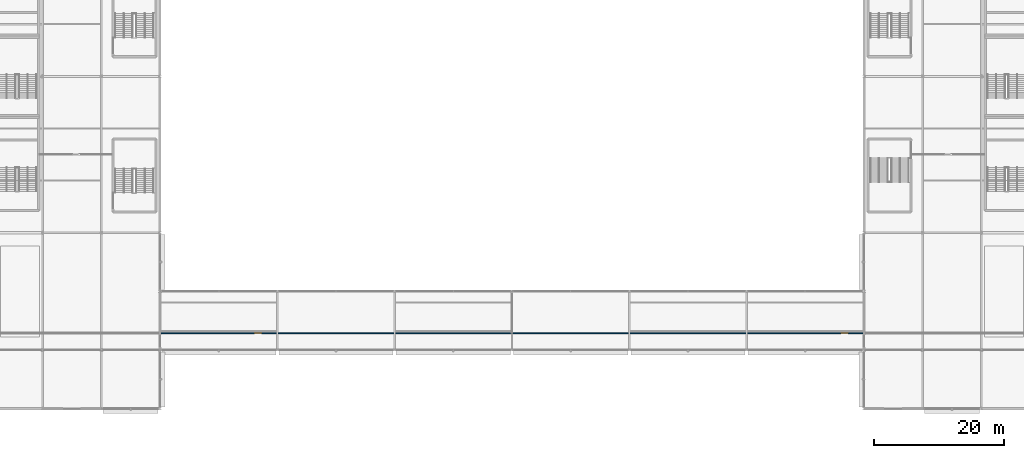
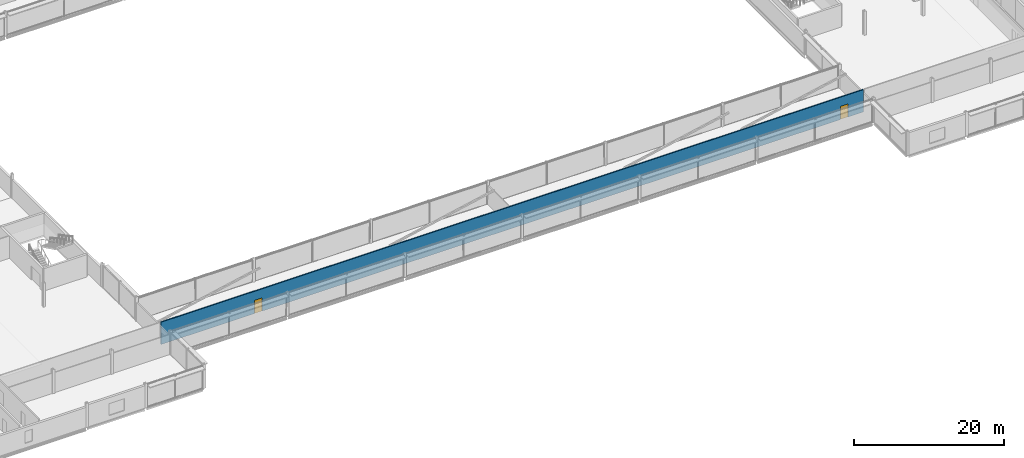
# One storey, part 59 of 98: 2 doors, 1 wall, 2 openings.
"""IFC4 building model written with IfcOpenShell, lengths in metres."""

from ifc_helpers import new_model, si_unit, direction, frame, frame_2d, origin, place, context, subcontext, project, spatial, rectangle, extrude, material, layer, layer_set, type_object, element, fill, save


model = new_model("IFC4")

# Units and contexts
model_context = context("Model", 3, precision=1e-05, world=origin(), true_north=direction((0.0, 1.0)))
body_context = subcontext(model_context, "Body", "Model", "MODEL_VIEW")
ifc_project = project(units=[si_unit("LENGTHUNIT", "METRE"), si_unit("AREAUNIT", "SQUARE_METRE"), si_unit("VOLUMEUNIT", "CUBIC_METRE"), si_unit("PLANEANGLEUNIT", "RADIAN"), si_unit("MASSUNIT", "GRAM", prefix="KILO")], contexts=[model_context])

# Site, building, storey
site_placement = place(None, origin())
site = spatial("IfcSite", under=ifc_project, at=site_placement, CompositionType="ELEMENT")
building_placement = place(site_placement, origin())
building = spatial("IfcBuilding", under=site, at=building_placement, Name="Kisiwana Market Hall", CompositionType="ELEMENT")
storey_placement = place(building_placement, frame((0.0, 0.0, 29.39990234375)))
storey = spatial("IfcBuildingStorey", under=building, at=storey_placement, Name="L06", CompositionType="ELEMENT", Elevation=29.39990234375)

# Wall, openings, doors
ifc_material_1 = material(Name="Masonry blockwork", Category="masonry")
ifc_layer = layer(ifc_material_1, 0.169921875, Name="Protected corridor partition")
ifc_layer_set = layer_set([ifc_layer], Name="WL-CORR-170")
wall_type = type_object("IfcWallType", Name="WL-CORR-170", PredefinedType="PARTITIONING", material=ifc_layer_set)
wall_placement = place(storey_placement, frame((45.0849609375, 20.60009765625, 0.0), z_axis=(0.0, 0.0, 1.0), x_axis=(1.0, 0.0, 0.0)))
wall = element("IfcWall", 1, at=wall_placement, inside=storey, type_object=wall_type, Name="Interior partition W-2075", PredefinedType="PARTITIONING", context=body_context, shape_type="SweptSolid", body=[
    extrude(rectangle(XDim=107.830078125, YDim=0.169921875, at=frame_2d((53.9150390625, 0.0))), origin(), (0.0, 0.0, 1.0), 3.6201171875),
])
opening_1_placement = place(wall_placement, frame((14.340087890625, 0.0, 0.0)))
opening_1 = element("IfcOpeningElement", 2, at=opening_1_placement, cuts=wall, Name="Opening DR-L06-065", PredefinedType="OPENING", context=body_context, shape_type="SweptSolid", body=[
    extrude(rectangle(XDim=1.14990234375, YDim=2.14990234375, at=frame_2d((0.574951171875, 1.074951171875))), frame((0.0, 0.096923828125, 0.0), z_axis=(0.0, -1.0, 0.0), x_axis=(1.0, 0.0, 0.0)), (0.0, 0.0, 1.0), 0.19384765625),
])
opening_2_placement = place(wall_placement, frame((104.340087890625, 0.0, 0.0)))
opening_2 = element("IfcOpeningElement", 3, at=opening_2_placement, cuts=wall, Name="Opening DR-L06-066", PredefinedType="OPENING", context=body_context, shape_type="SweptSolid", body=[
    extrude(rectangle(XDim=1.14990234375, YDim=2.14990234375, at=frame_2d((0.574951171875, 1.074951171875))), frame((0.0, 0.096923828125, 0.0), z_axis=(0.0, -1.0, 0.0), x_axis=(1.0, 0.0, 0.0)), (0.0, 0.0, 1.0), 0.19384765625),
])
ifc_material_2 = material(Name="Aluminium alloy 6063-T6", Category="aluminium")
door_type = type_object("IfcDoorType", Name="DR-MEET-1150", OperationType="NOTDEFINED", PredefinedType="DOOR", material=ifc_material_2)
door_1_placement = place(opening_1_placement, origin())
door_1 = element("IfcDoor", 4, at=door_1_placement, inside=storey, type_object=door_type, Name="L06 Skybridge S1 Door", OperationType="SINGLE_SWING_LEFT", OverallHeight=2.14990234375, OverallWidth=1.14990234375, PredefinedType="DOOR", context=body_context, shape_type="SweptSolid", body=[
    extrude(rectangle(XDim=1.14990234375, YDim=2.14990234375, at=frame_2d((0.574951171875, 1.074951171875))), frame((0.0, 0.02490234375, 0.0), z_axis=(0.0, -1.0, 0.0), x_axis=(1.0, 0.0, 0.0)), (0.0, 0.0, 1.0), 0.050048828125),
])
fill(opening_1, door_1)
door_2_placement = place(opening_2_placement, origin())
door_2 = element("IfcDoor", 5, at=door_2_placement, inside=storey, type_object=door_type, Name="L06 Skybridge S2 Door", OperationType="SINGLE_SWING_RIGHT", OverallHeight=2.14990234375, OverallWidth=1.14990234375, PredefinedType="DOOR", context=body_context, shape_type="SweptSolid", body=[
    extrude(rectangle(XDim=1.14990234375, YDim=2.14990234375, at=frame_2d((0.574951171875, 1.074951171875))), frame((0.0, 0.02490234375, 0.0), z_axis=(0.0, -1.0, 0.0), x_axis=(1.0, 0.0, 0.0)), (0.0, 0.0, 1.0), 0.050048828125),
])
fill(opening_2, door_2)

save(model, "model.ifc")
